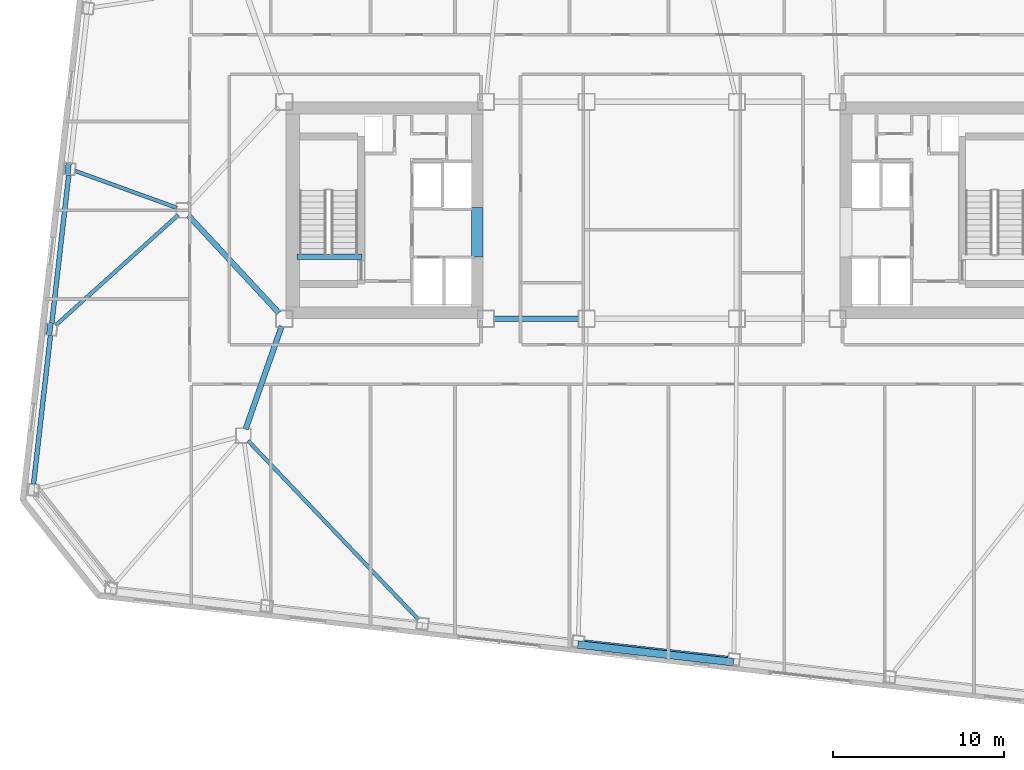
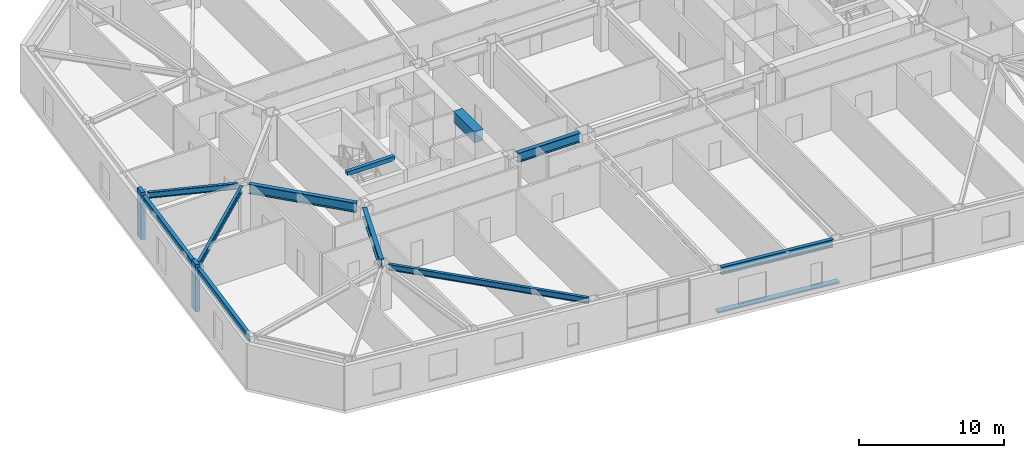
# One storey, part 3 of 21: 11 beams, 3 members.
"""IFC4 building model written with IfcOpenShell, lengths in metres."""

from ifc_helpers import new_model, si_unit, direction, frame, origin, origin_2d, place, context, subcontext, project, spatial, rectangle, i_section, extrude, material, material_profile, profile_set, type_object, element, save


model = new_model("IFC4")

# Units and contexts
model_context = context("Model", 3, precision=1e-05, world=origin(), true_north=direction((0.0, 1.0)))
body_context = subcontext(model_context, "Body", "Model", "MODEL_VIEW")
ifc_project = project(units=[si_unit("LENGTHUNIT", "METRE"), si_unit("AREAUNIT", "SQUARE_METRE"), si_unit("VOLUMEUNIT", "CUBIC_METRE"), si_unit("PLANEANGLEUNIT", "RADIAN"), si_unit("MASSUNIT", "GRAM", prefix="KILO")], contexts=[model_context])

# Site, building, storey
site_placement = place(None, origin())
site = spatial("IfcSite", under=ifc_project, at=site_placement, CompositionType="ELEMENT")
building_placement = place(site_placement, origin())
building = spatial("IfcBuilding", under=site, at=building_placement, Name="Tavrogorsk Clinical Tower", CompositionType="ELEMENT")
storey_placement = place(building_placement, frame((0.0, 0.0, 137.39990234375)))
storey = spatial("IfcBuildingStorey", under=building, at=storey_placement, Name="L31", CompositionType="ELEMENT", Elevation=137.39990234375)

# Member
ifc_material_1 = material(Name="Anodised aluminium alloy AW-6063", Category="aluminium")
ifc_material_profile_1 = material_profile(ifc_material_1, rectangle(XDim=0.449951171875, YDim=0.1201171875, at=origin_2d()), Name="ALU-SUNSHADE-450x120")
ifc_profile_set_1 = profile_set([ifc_material_profile_1], Name="Anodised aluminium alloy AW-6063")
member_type_1 = type_object("IfcMemberType", Name="ChicagoSunshade_450x120", PredefinedType="USERDEFINED", material=ifc_profile_set_1)
member_placement = place(storey_placement, frame((-4.909912109375, -25.42431640625, 0.18017578125), z_axis=(0.993572654864, -0.113196199166, 0.0), x_axis=(0.113196199166, 0.993572654864, 0.0)))
element("IfcMember", 1, at=member_placement, inside=storey, type_object=member_type_1, Name="L31 South Aluminium Sunshade S4", ObjectType="SUNSHADE", PredefinedType="USERDEFINED", context=body_context, shape_type="SweptSolid", body=[
    extrude(rectangle(XDim=0.449951171875, YDim=0.1201171875, at=origin_2d()), origin(), (0.0, 0.0, 1.0), 9.17724609375),
])

# Beams
ifc_material_2 = material(Name="Concrete B80", Category="concrete")
ifc_material_profile_2 = material_profile(ifc_material_2, rectangle(XDim=0.699951171875, YDim=0.949951171875, at=origin_2d()), Name="RC-CB-700x950")
ifc_profile_set_2 = profile_set([ifc_material_profile_2], Name="Concrete B80")
beam_type_1 = type_object("IfcBeamType", Name="CouplingBeam_RC700x950", PredefinedType="LINTEL", material=ifc_profile_set_2)
beam_1_placement = place(storey_placement, frame((-10.800048828125, -2.75, 3.26513671875), z_axis=(0.0, 1.0, 0.0), x_axis=(-1.0, 0.0, 0.0)))
element("IfcBeam", 2, at=beam_1_placement, inside=storey, type_object=beam_type_1, Name="L31 Core West Coupling Beam", PredefinedType="LINTEL", context=body_context, shape_type="SweptSolid", body=[
    extrude(rectangle(XDim=0.699951171875, YDim=0.949951171875, at=origin_2d()), origin(), (0.0, 0.0, 1.0), 2.89990234375),
])
ifc_material_3 = material(Name="Structural steel S355", Category="steel")
ifc_material_profile_3 = material_profile(ifc_material_3, i_section(OverallWidth=0.219970703125, OverallDepth=0.5, WebThickness=0.012939453125, FlangeThickness=0.02001953125, at=origin_2d()), Name="B-500x220x13x20")
ifc_profile_set_3 = profile_set([ifc_material_profile_3], Name="Structural steel S355")
beam_type_2 = type_object("IfcBeamType", Name="FloorBeam_B500", PredefinedType="BEAM", material=ifc_profile_set_3)
beam_2_placement = place(storey_placement, frame((-24.217041015625, -13.496826171875, 3.489990234375), z_axis=(0.689995410805, -0.723813741972, 0.0), x_axis=(0.723813741972, 0.689995410805, 0.0)))
element("IfcBeam", 3, at=beam_2_placement, inside=storey, type_object=beam_type_2, Name="L31 Radial Floor Beam S3", PredefinedType="BEAM", context=body_context, shape_type="SweptSolid", body=[
    extrude(i_section(OverallWidth=0.219970703125, OverallDepth=0.5, WebThickness=0.012939453125, FlangeThickness=0.02001953125, at=origin_2d()), origin(), (0.0, 0.0, 1.0), 14.4384765625),
])
beam_3_placement = place(storey_placement, frame((-28.385498046875, 0.139892578125, 3.489990234375), z_axis=(-0.939993443432, 0.341192506225, 0.0), x_axis=(-0.341192506225, -0.939993443432, 0.0)))
element("IfcBeam", 4, at=beam_3_placement, inside=storey, type_object=beam_type_2, Name="L31 Radial Floor Beam W3", PredefinedType="BEAM", context=body_context, shape_type="SweptSolid", body=[
    extrude(i_section(OverallWidth=0.219970703125, OverallDepth=0.5, WebThickness=0.012939453125, FlangeThickness=0.02001953125, at=origin_2d()), origin(), (0.0, 0.0, 1.0), 6.33837890625),
])
beam_4_placement = place(storey_placement, frame((-28.3046875, -0.274169921875, 3.489990234375), z_axis=(-0.743369550828, -0.668880939257, 0.0), x_axis=(0.668880939257, -0.743369550828, 0.0)))
element("IfcBeam", 5, at=beam_4_placement, inside=storey, type_object=beam_type_2, Name="L31 Radial Floor Beam W4", PredefinedType="BEAM", context=body_context, shape_type="SweptSolid", body=[
    extrude(i_section(OverallWidth=0.219970703125, OverallDepth=0.5, WebThickness=0.012939453125, FlangeThickness=0.02001953125, at=origin_2d()), origin(), (0.0, 0.0, 1.0), 9.658935546875),
])

# Members
ifc_material_4 = material(Name="Precast concrete B45 with limestone cladding", Category="masonry")
ifc_material_profile_4 = material_profile(ifc_material_4, rectangle(XDim=0.320068359375, YDim=0.719970703125, at=origin_2d()), Name="LIMESTONE-FIN-320x720")
ifc_profile_set_4 = profile_set([ifc_material_profile_4], Name="Precast concrete B45 with limestone cladding")
member_type_2 = type_object("IfcMemberType", Name="LimestonePleatFin_320x720", PredefinedType="USERDEFINED", material=ifc_profile_set_4)
for number, where, z_axis, x_axis, name in (
    (6, (-34.759521484375, 2.433837890625, 0.0), (0.0, 0.0, 1.0), (0.993571855677, -0.113203213768, 0.0), "L31 W Pleated Stone Fin 2"),
    (7, (-35.83056640625, -6.96533203125, 0.0), (0.0, 0.0, 1.0), (0.993571855677, -0.113203213768, 0.0), "L31 W Pleated Stone Fin 3"),
):
    element("IfcMember", number, at=place(storey_placement, frame(where, z_axis=z_axis, x_axis=x_axis)), inside=storey, type_object=member_type_2, Name=name, ObjectType="FIN", PredefinedType="USERDEFINED", context=body_context, shape_type="SweptSolid", body=[
        extrude(rectangle(XDim=0.320068359375, YDim=0.719970703125, at=origin_2d()), origin(), (0.0, 0.0, 1.0), 4.0),
    ])

# Beams
ifc_material_5 = material(Name="Structural steel S390", Category="steel")
ifc_material_profile_5 = material_profile(ifc_material_5, i_section(OverallWidth=0.320068359375, OverallDepth=0.800048828125, WebThickness=0.02001953125, FlangeThickness=0.033935546875, at=origin_2d()), Name="B-800x320x20x34")
ifc_profile_set_5 = profile_set([ifc_material_profile_5], Name="Structural steel S390")
beam_type_3 = type_object("IfcBeamType", Name="PrimaryGirder_B800", PredefinedType="USERDEFINED", material=ifc_profile_set_5)
beam_5_placement = place(storey_placement, frame((-9.840087890625, -6.35009765625, 3.340087890625), z_axis=(1.0, 0.0, 0.0), x_axis=(0.0, 1.0, 0.0)))
element("IfcBeam", 8, at=beam_5_placement, inside=storey, type_object=beam_type_3, Name="L31 Primary Spine Girder MG-01", ObjectType="GIRDER", PredefinedType="USERDEFINED", context=body_context, shape_type="SweptSolid", body=[
    extrude(i_section(OverallWidth=0.320068359375, OverallDepth=0.800048828125, WebThickness=0.02001953125, FlangeThickness=0.033935546875, at=origin_2d()), origin(), (0.0, 0.0, 1.0), 4.97998046875),
])
beam_6_placement = place(storey_placement, frame((-24.364501953125, -12.81298828125, 3.340087890625), z_axis=(0.330660234815, 0.943749865755, 0.0), x_axis=(-0.943749865755, 0.330660234815, 0.0)))
element("IfcBeam", 9, at=beam_6_placement, inside=storey, type_object=beam_type_3, Name="L31 Spine Link Girder OPG-1", ObjectType="GIRDER", PredefinedType="USERDEFINED", context=body_context, shape_type="SweptSolid", body=[
    extrude(i_section(OverallWidth=0.320068359375, OverallDepth=0.800048828125, WebThickness=0.02001953125, FlangeThickness=0.033935546875, at=origin_2d()), origin(), (0.0, 0.0, 1.0), 6.38818359375),
])
beam_7_placement = place(storey_placement, frame((-27.720947265625, -0.30029296875, 3.340087890625), z_axis=(0.680675630035, -0.732584934787, 0.0), x_axis=(0.732584934787, 0.680675630035, 0.0)))
element("IfcBeam", 10, at=beam_7_placement, inside=storey, type_object=beam_type_3, Name="L31 Spine Link Girder OPG-5", ObjectType="GIRDER", PredefinedType="USERDEFINED", context=body_context, shape_type="SweptSolid", body=[
    extrude(i_section(OverallWidth=0.320068359375, OverallDepth=0.800048828125, WebThickness=0.02001953125, FlangeThickness=0.033935546875, at=origin_2d()), origin(), (0.0, 0.0, 1.0), 7.7978515625),
])
ifc_material_6 = material(Name="Structural steel S390", Category="steel")
ifc_material_profile_6 = material_profile(ifc_material_6, i_section(OverallWidth=0.280029296875, OverallDepth=0.64990234375, WebThickness=0.01611328125, FlangeThickness=0.02490234375, at=origin_2d()), Name="B-650x280x16x25")
ifc_profile_set_6 = profile_set([ifc_material_profile_6], Name="Structural steel S390")
beam_type_4 = type_object("IfcBeamType", Name="SpandrelBeam_B650", PredefinedType="SPANDREL", material=ifc_profile_set_6)
beam_8_placement = place(storey_placement, frame((-4.533935546875, -25.2861328125, 3.4150390625), z_axis=(0.993572695356, -0.113195843756, 0.0), x_axis=(0.113195843756, 0.993572695356, 0.0)))
element("IfcBeam", 11, at=beam_8_placement, inside=storey, type_object=beam_type_4, Name="L31 Perimeter Spandrel S4-S5", PredefinedType="SPANDREL", context=body_context, shape_type="SweptSolid", body=[
    extrude(i_section(OverallWidth=0.280029296875, OverallDepth=0.64990234375, WebThickness=0.01611328125, FlangeThickness=0.02490234375, at=origin_2d()), origin(), (0.0, 0.0, 1.0), 8.461181640625),
])
for number, where, z_axis, x_axis, name in (
    (12, (-34.720703125, 2.069091796875, 3.4150390625), (-0.113192226434, -0.993573107464, 0.0), (0.993573107464, -0.113192226434, 0.0), "L31 Perimeter Spandrel W3-W4"),
    (13, (-35.79150390625, -7.330078125, 3.4150390625), (-0.113192226434, -0.993573107464, 0.0), (0.993573107464, -0.113192226434, 0.0), "L31 Perimeter Spandrel W4-W5"),
):
    element("IfcBeam", number, at=place(storey_placement, frame(where, z_axis=z_axis, x_axis=x_axis)), inside=storey, type_object=beam_type_4, Name=name, PredefinedType="SPANDREL", context=body_context, shape_type="SweptSolid", body=[
        extrude(i_section(OverallWidth=0.280029296875, OverallDepth=0.64990234375, WebThickness=0.01611328125, FlangeThickness=0.02490234375, at=origin_2d()), origin(), (0.0, 0.0, 1.0), 8.743896484375),
    ])
ifc_material_7 = material(Name="Concrete B60", Category="concrete")
ifc_material_profile_7 = material_profile(ifc_material_7, rectangle(XDim=0.300048828125, YDim=0.35009765625, at=origin_2d()), Name="RC-SHB-300x350")
ifc_profile_set_7 = profile_set([ifc_material_profile_7], Name="Concrete B60")
beam_type_5 = type_object("IfcBeamType", Name="StairHeaderBeam_RC300x350", PredefinedType="BEAM", material=ifc_profile_set_7)
beam_9_placement = place(storey_placement, frame((-21.35009765625, -2.719970703125, 3.8251953125), z_axis=(1.0, 0.0, 0.0), x_axis=(0.0, 1.0, 0.0)))
element("IfcBeam", 14, at=beam_9_placement, inside=storey, type_object=beam_type_5, Name="L32 ST-W Landing Header Beam", PredefinedType="BEAM", context=body_context, shape_type="SweptSolid", body=[
    extrude(rectangle(XDim=0.300048828125, YDim=0.35009765625, at=origin_2d()), origin(), (0.0, 0.0, 1.0), 3.800048828125),
])

save(model, "model.ifc")
